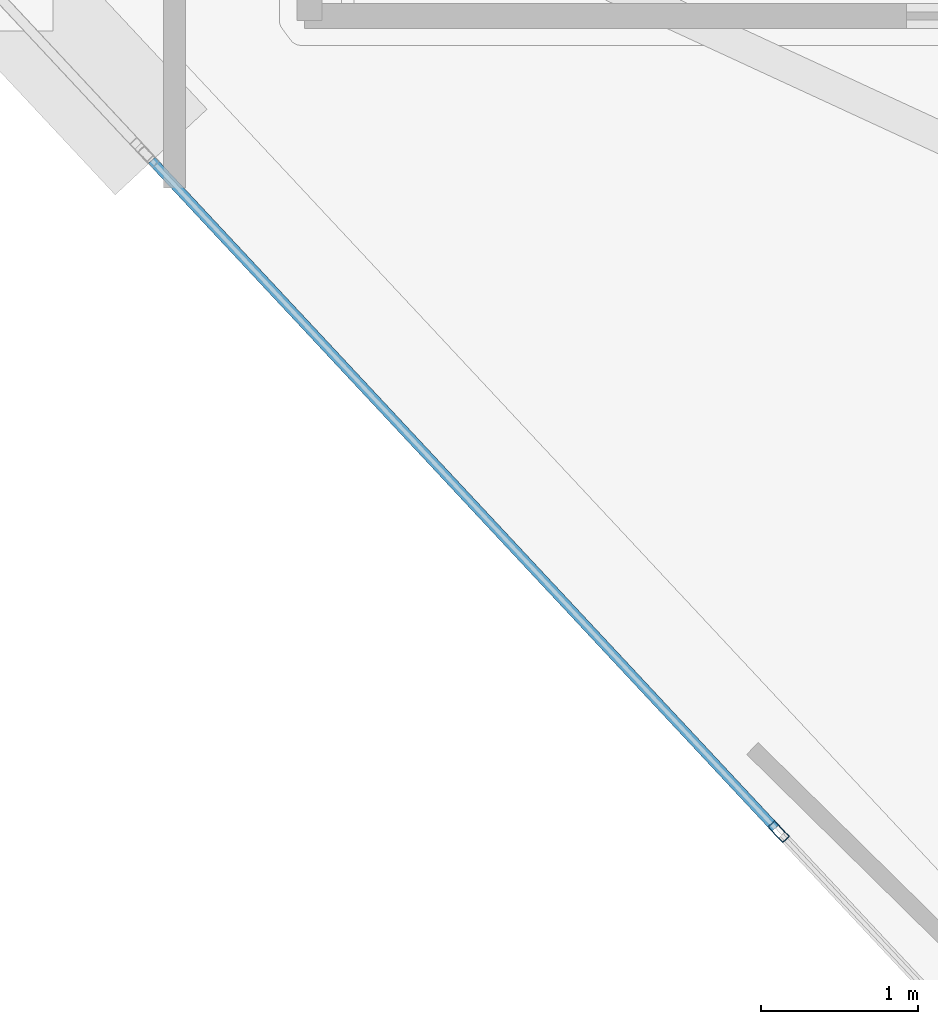
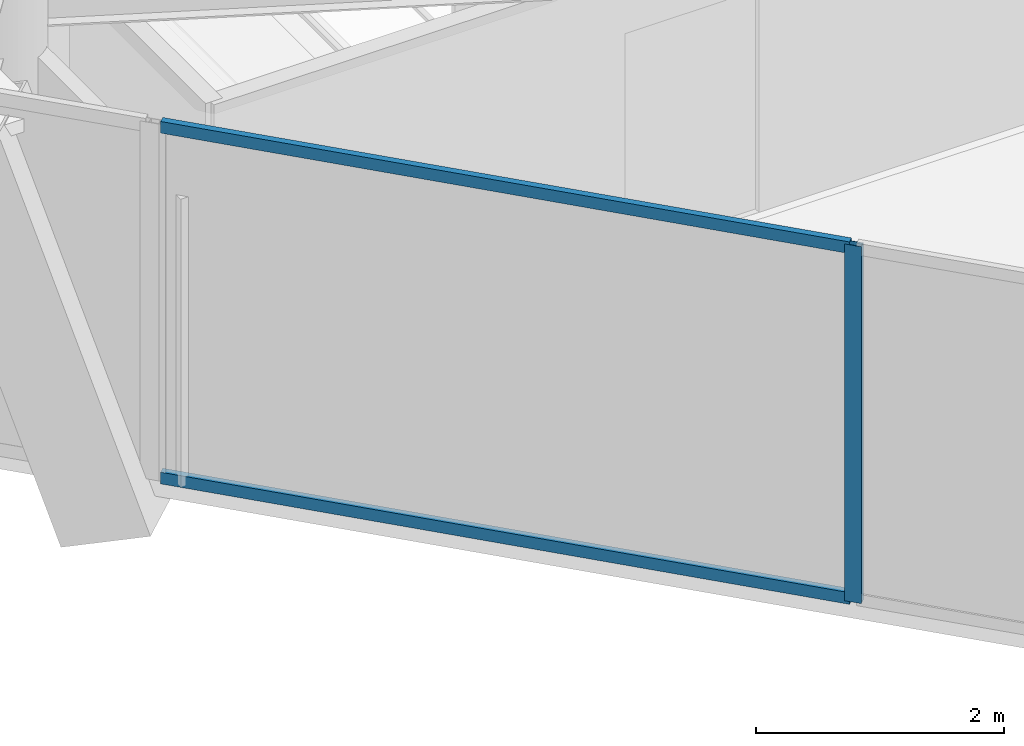
# One storey, part 2 of 19: 3 members, 1 element without a shape of its own.
"""IFC4 building model written with IfcOpenShell, lengths in metres."""

from ifc_helpers import new_model, si_unit, direction, frame, origin, origin_2d, place, context, subcontext, project, spatial, hollow_rectangle, extrude, material, layer, layer_set, material_profile, profile_set, type_object, element, aggregate, save


model = new_model("IFC4")

# Units and contexts
model_context = context("Model", 3, precision=1e-05, world=origin(), true_north=direction((0.0, 1.0)))
body_context = subcontext(model_context, "Body", "Model", "MODEL_VIEW")
ifc_project = project(units=[si_unit("LENGTHUNIT", "METRE"), si_unit("AREAUNIT", "SQUARE_METRE"), si_unit("VOLUMEUNIT", "CUBIC_METRE"), si_unit("PLANEANGLEUNIT", "RADIAN"), si_unit("MASSUNIT", "GRAM", prefix="KILO")], contexts=[model_context])

# Site, building, storey
site_placement = place(None, origin())
site = spatial("IfcSite", under=ifc_project, at=site_placement, CompositionType="ELEMENT")
building_placement = place(site_placement, origin())
building = spatial("IfcBuilding", under=site, at=building_placement, Name="Qianvela Tower", CompositionType="ELEMENT")
storey_placement = place(building_placement, frame((0.0, 0.0, 333.300048828125)))
storey = spatial("IfcBuildingStorey", under=building, at=storey_placement, Name="L86", CompositionType="ELEMENT", Elevation=333.300048828125)

# Curtain wall, members
ifc_material_1 = material(Name="Anodised Architectural Aluminium and Low-E Glass", Category="aluminium")
ifc_layer = layer(ifc_material_1, 0.14990234375)
ifc_layer_set = layer_set([ifc_layer], Name="Anodised Architectural Aluminium and Low-E Glass")
curtain_wall_type = type_object("IfcCurtainWallType", Name="CW-COLIV-Z78", PredefinedType="USERDEFINED", material=ifc_layer_set)
curtain_wall_placement = place(storey_placement, origin())
curtain_wall = element("IfcCurtainWall", 1, at=curtain_wall_placement, inside=storey, type_object=curtain_wall_type, Name="L86 CW-COLIV-Z78 Curtain Wall 04C", ObjectType="CURTAIN_WALL_SYSTEM", PredefinedType="USERDEFINED")
ifc_material_2 = material(Name="Anodised Architectural Aluminium 6063-T6", Category="aluminium")
ifc_material_profile_1 = material_profile(ifc_material_2, hollow_rectangle(XDim=0.06005859375, YDim=0.139892578125, WallThickness=0.00439453125, at=origin_2d()), Name="ALU-MULL-60x140")
ifc_profile_set_1 = profile_set([ifc_material_profile_1], Name="Anodised Architectural Aluminium 6063-T6")
member_type_1 = type_object("IfcMemberType", Name="CW-COLIV-Z78-MULL", PredefinedType="MULLION", material=ifc_profile_set_1)
member_1_placement = place(storey_placement, frame((33.218994140625, 10.885498046875, 0.0), z_axis=(0.0, 0.0, 1.0), x_axis=(0.730882490638, 0.682503322247, 0.0)))
member_1 = element("IfcMember", 2, at=member_1_placement, type_object=member_type_1, Name="CW-6 mullion 2", PredefinedType="MULLION", context=body_context, shape_type="SweptSolid", body=[
    extrude(hollow_rectangle(XDim=0.06005859375, YDim=0.139892578125, WallThickness=0.00439453125, at=origin_2d()), origin(), (0.0, 0.0, 1.0), 3.52001953125),
])
ifc_material_3 = material(Name="Anodised Architectural Aluminium 6063-T6", Category="aluminium")
ifc_material_profile_2 = material_profile(ifc_material_3, hollow_rectangle(XDim=0.06005859375, YDim=0.114990234375, WallThickness=0.00390625, at=origin_2d()), Name="ALU-TRAN-60x115")
ifc_profile_set_2 = profile_set([ifc_material_profile_2], Name="Anodised Architectural Aluminium 6063-T6")
member_type_2 = type_object("IfcMemberType", Name="CW-COLIV-Z78-TRAN", PredefinedType="USERDEFINED", material=ifc_profile_set_2)
member_2_placement = place(storey_placement, frame((29.2265625, 15.16064453125, 0.030029296875), z_axis=(0.682508055154, -0.730878070987, 0.0), x_axis=(0.730878070987, 0.682508055154, 0.0)))
member_2 = element("IfcMember", 3, at=member_2_placement, type_object=member_type_2, Name="CW-6 transom 1.1", ObjectType="TRANSOM", PredefinedType="USERDEFINED", context=body_context, shape_type="SweptSolid", body=[
    extrude(hollow_rectangle(XDim=0.06005859375, YDim=0.114990234375, WallThickness=0.00390625, at=origin_2d()), origin(), (0.0, 0.0, 1.0), 5.819580078125),
])
member_3_placement = place(storey_placement, frame((29.2265625, 15.16064453125, 3.489990234375), z_axis=(0.682508055154, -0.730878070987, 0.0), x_axis=(0.730878070987, 0.682508055154, 0.0)))
member_3 = element("IfcMember", 4, at=member_3_placement, type_object=member_type_2, Name="CW-6 transom 1.2", ObjectType="TRANSOM", PredefinedType="USERDEFINED", context=body_context, shape_type="SweptSolid", body=[
    extrude(hollow_rectangle(XDim=0.06005859375, YDim=0.114990234375, WallThickness=0.00390625, at=origin_2d()), origin(), (0.0, 0.0, 1.0), 5.819580078125),
])
aggregate(curtain_wall, [member_1, member_2, member_3])

save(model, "model.ifc")
